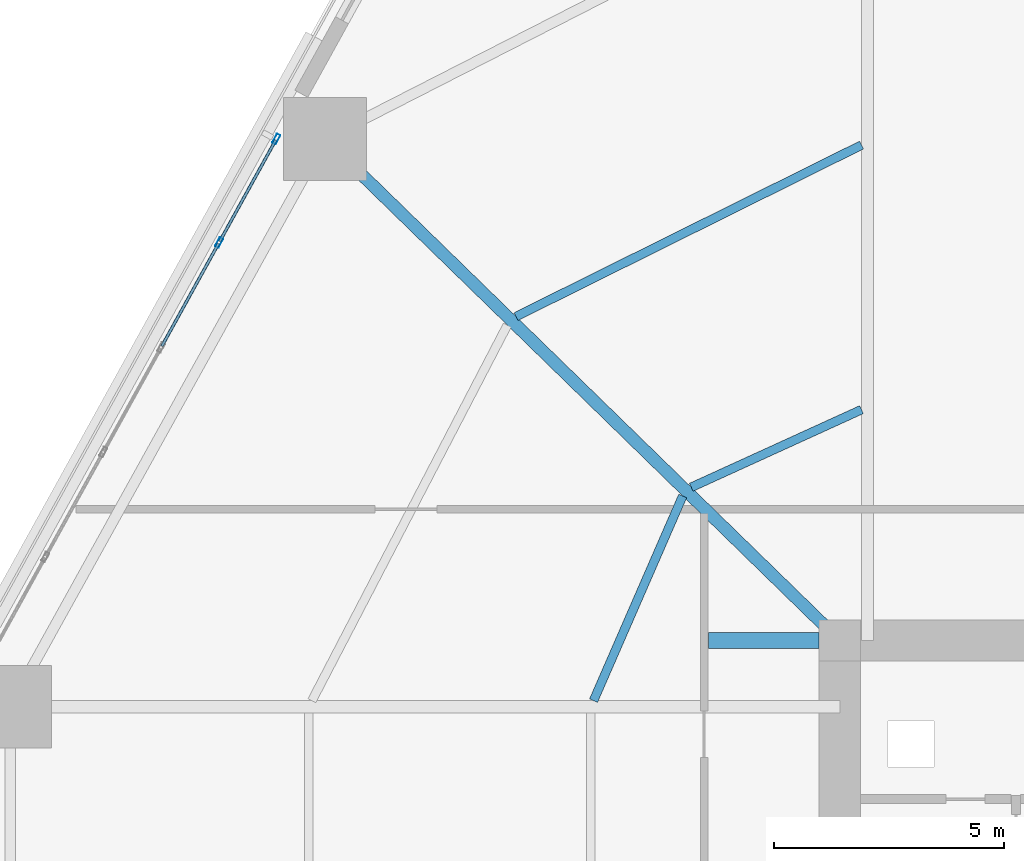
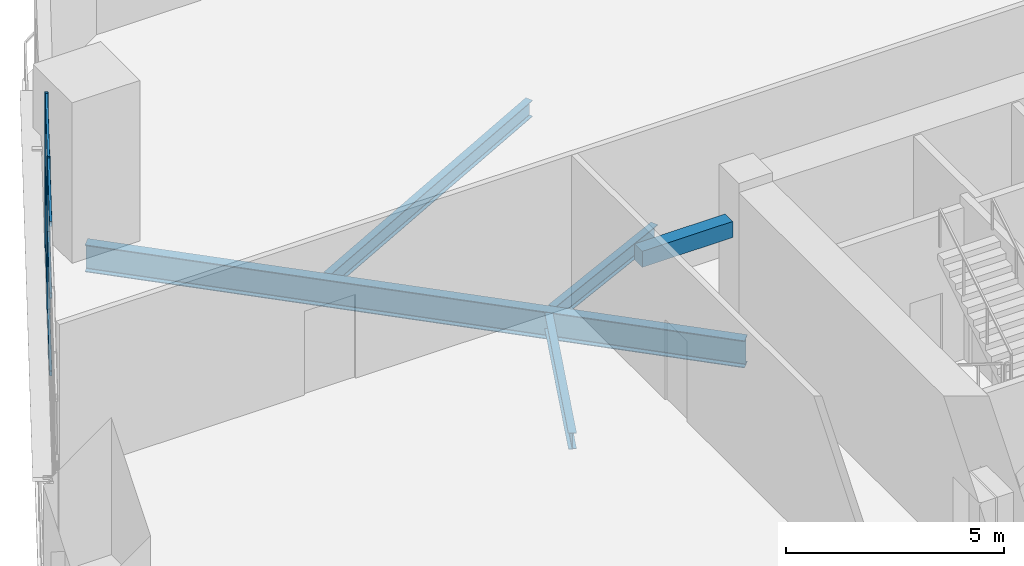
# One storey, part 7 of 21: 8 members, 5 beams, 1 element without a shape of its own.
"""IFC4 building model written with IfcOpenShell, lengths in metres."""

from ifc_helpers import new_model, si_unit, direction, frame, origin, origin_2d, place, context, subcontext, project, spatial, rectangle, hollow_rectangle, i_section, extrude, material, layer, layer_set, material_profile, profile_set, type_object, element, aggregate, save


model = new_model("IFC4")

# Units and contexts
model_context = context("Model", 3, precision=1e-05, world=origin(), true_north=direction((0.0, 1.0)))
body_context = subcontext(model_context, "Body", "Model", "MODEL_VIEW")
ifc_project = project(units=[si_unit("LENGTHUNIT", "METRE"), si_unit("AREAUNIT", "SQUARE_METRE"), si_unit("VOLUMEUNIT", "CUBIC_METRE"), si_unit("PLANEANGLEUNIT", "RADIAN"), si_unit("MASSUNIT", "GRAM", prefix="KILO")], contexts=[model_context])

# Site, building, storey
site_placement = place(None, origin())
site = spatial("IfcSite", under=ifc_project, at=site_placement, CompositionType="ELEMENT")
building_placement = place(site_placement, origin())
building = spatial("IfcBuilding", under=site, at=building_placement, Name="Cinnabar Lancet Tower", CompositionType="ELEMENT")
storey_placement = place(building_placement, frame((0.0, 0.0, 6.0)))
storey = spatial("IfcBuildingStorey", under=building, at=storey_placement, Name="L01", CompositionType="ELEMENT", Elevation=6.0)

# Curtain wall, members
ifc_material_1 = material(Name="Thermally broken bronze-anodized aluminium and low-E glass", Category="aluminium")
ifc_layer = layer(ifc_material_1, 0.179931640625)
ifc_layer_set = layer_set([ifc_layer], Name="Thermally broken bronze-anodized aluminium and low-E glass")
curtain_wall_type = type_object("IfcCurtainWallType", Name="ENV-CW-SYS-02", PredefinedType="NOTDEFINED", material=ifc_layer_set)
curtain_wall_placement = place(storey_placement, origin())
curtain_wall = element("IfcCurtainWall", 1, at=curtain_wall_placement, inside=storey, type_object=curtain_wall_type, Name="L01 Face 5 Feature Curtain Wall", PredefinedType="NOTDEFINED")
ifc_material_2 = material(Name="Anodized architectural aluminium 6063-T6", Category="aluminium")
ifc_material_profile_1 = material_profile(ifc_material_2, hollow_rectangle(XDim=0.0849609375, YDim=0.219970703125, WallThickness=0.0048828125, InnerFilletRadius=0.00244140625, OuterFilletRadius=0.007568359375, at=origin_2d()), Name="CW-MUL 220x85x5")
ifc_profile_set_1 = profile_set([ifc_material_profile_1], Name="Anodized architectural aluminium 6063-T6")
member_type_1 = type_object("IfcMemberType", Name="ENV-CW-MUL-220", PredefinedType="MULLION", material=ifc_profile_set_1)
member_1_placement = place(storey_placement, frame((10.699462890625, 44.253662109375, 0.0), z_axis=(0.0, 0.0, 1.0), x_axis=(0.875242391442, -0.48368456273, 0.0)))
member_1 = element("IfcMember", 2, at=member_1_placement, type_object=member_type_1, Name="CW-02 mullion 1", PredefinedType="MULLION", context=body_context, shape_type="SweptSolid", body=[
    extrude(hollow_rectangle(XDim=0.0849609375, YDim=0.219970703125, WallThickness=0.0048828125, InnerFilletRadius=0.00244140625, OuterFilletRadius=0.007568359375, at=origin_2d()), origin(), (0.0, 0.0, 1.0), 4.25),
])
member_2_placement = place(storey_placement, frame((9.455078125, 42.001708984375, 0.0), z_axis=(0.0, 0.0, 1.0), x_axis=(0.875242391442, -0.48368456273, 0.0)))
member_2 = element("IfcMember", 3, at=member_2_placement, type_object=member_type_1, Name="CW-02 mullion 2", PredefinedType="MULLION", context=body_context, shape_type="SweptSolid", body=[
    extrude(hollow_rectangle(XDim=0.0849609375, YDim=0.219970703125, WallThickness=0.0048828125, InnerFilletRadius=0.00244140625, OuterFilletRadius=0.007568359375, at=origin_2d()), origin(), (0.0, 0.0, 1.0), 4.25),
])
ifc_material_3 = material(Name="Anodized architectural aluminium 6063-T6", Category="aluminium")
ifc_material_profile_2 = material_profile(ifc_material_3, hollow_rectangle(XDim=0.06494140625, YDim=0.14990234375, WallThickness=0.00390625, InnerFilletRadius=0.001953125, OuterFilletRadius=0.006103515625, at=origin_2d()), Name="CW-TRN 150x65x4")
ifc_profile_set_2 = profile_set([ifc_material_profile_2], Name="Anodized architectural aluminium 6063-T6")
member_type_2 = type_object("IfcMemberType", Name="ENV-CW-TRN-160", PredefinedType="USERDEFINED", material=ifc_profile_set_2)
member_3_placement = place(storey_placement, frame((10.68505859375, 44.2275390625, 0.030029296875), z_axis=(-0.483711571576, -0.875227465019, 0.0), x_axis=(0.875227465019, -0.483711571576, 0.0)))
member_3 = element("IfcMember", 4, at=member_3_placement, type_object=member_type_2, Name="CW-02 transom 1.1", ObjectType="TRANSOM", PredefinedType="USERDEFINED", context=body_context, shape_type="SweptSolid", body=[
    extrude(hollow_rectangle(XDim=0.06494140625, YDim=0.14990234375, WallThickness=0.00390625, InnerFilletRadius=0.001953125, OuterFilletRadius=0.006103515625, at=origin_2d()), origin(), (0.0, 0.0, 1.0), 2.512939453125),
])
member_4_placement = place(storey_placement, frame((10.68505859375, 44.2275390625, 2.2099609375), z_axis=(-0.483711571576, -0.875227465019, 0.0), x_axis=(0.875227465019, -0.483711571576, 0.0)))
member_4 = element("IfcMember", 5, at=member_4_placement, type_object=member_type_2, Name="CW-02 transom 1.2", ObjectType="TRANSOM", PredefinedType="USERDEFINED", context=body_context, shape_type="SweptSolid", body=[
    extrude(hollow_rectangle(XDim=0.06494140625, YDim=0.14990234375, WallThickness=0.00390625, InnerFilletRadius=0.001953125, OuterFilletRadius=0.006103515625, at=origin_2d()), origin(), (0.0, 0.0, 1.0), 2.512939453125),
])
member_5_placement = place(storey_placement, frame((10.68505859375, 44.2275390625, 4.219970703125), z_axis=(-0.483711571576, -0.875227465019, 0.0), x_axis=(0.875227465019, -0.483711571576, 0.0)))
member_5 = element("IfcMember", 6, at=member_5_placement, type_object=member_type_2, Name="CW-02 transom 1.3", ObjectType="TRANSOM", PredefinedType="USERDEFINED", context=body_context, shape_type="SweptSolid", body=[
    extrude(hollow_rectangle(XDim=0.06494140625, YDim=0.14990234375, WallThickness=0.00390625, InnerFilletRadius=0.001953125, OuterFilletRadius=0.006103515625, at=origin_2d()), origin(), (0.0, 0.0, 1.0), 2.512939453125),
])
member_6_placement = place(storey_placement, frame((9.4404296875, 41.9755859375, 0.030029296875), z_axis=(-0.483660952196, -0.875255438898, 0.0), x_axis=(0.875255438898, -0.483660952196, 0.0)))
member_6 = element("IfcMember", 7, at=member_6_placement, type_object=member_type_2, Name="CW-02 transom 2.1", ObjectType="TRANSOM", PredefinedType="USERDEFINED", context=body_context, shape_type="SweptSolid", body=[
    extrude(hollow_rectangle(XDim=0.06494140625, YDim=0.14990234375, WallThickness=0.00390625, InnerFilletRadius=0.001953125, OuterFilletRadius=0.006103515625, at=origin_2d()), origin(), (0.0, 0.0, 1.0), 2.54296875),
])
member_7_placement = place(storey_placement, frame((9.4404296875, 41.9755859375, 2.2099609375), z_axis=(-0.483660952196, -0.875255438898, 0.0), x_axis=(0.875255438898, -0.483660952196, 0.0)))
member_7 = element("IfcMember", 8, at=member_7_placement, type_object=member_type_2, Name="CW-02 transom 2.2", ObjectType="TRANSOM", PredefinedType="USERDEFINED", context=body_context, shape_type="SweptSolid", body=[
    extrude(hollow_rectangle(XDim=0.06494140625, YDim=0.14990234375, WallThickness=0.00390625, InnerFilletRadius=0.001953125, OuterFilletRadius=0.006103515625, at=origin_2d()), origin(), (0.0, 0.0, 1.0), 2.54296875),
])
member_8_placement = place(storey_placement, frame((9.4404296875, 41.9755859375, 4.219970703125), z_axis=(-0.483660952196, -0.875255438898, 0.0), x_axis=(0.875255438898, -0.483660952196, 0.0)))
member_8 = element("IfcMember", 9, at=member_8_placement, type_object=member_type_2, Name="CW-02 transom 2.3", ObjectType="TRANSOM", PredefinedType="USERDEFINED", context=body_context, shape_type="SweptSolid", body=[
    extrude(hollow_rectangle(XDim=0.06494140625, YDim=0.14990234375, WallThickness=0.00390625, InnerFilletRadius=0.001953125, OuterFilletRadius=0.006103515625, at=origin_2d()), origin(), (0.0, 0.0, 1.0), 2.54296875),
])
aggregate(curtain_wall, [member_1, member_2, member_3, member_4, member_5, member_6, member_7, member_8])

# Beams
ifc_material_4 = material(Name="Structural steel S355", Category="steel")
ifc_material_profile_3 = material_profile(ifc_material_4, i_section(OverallWidth=0.1904296875, OverallDepth=0.45703125, WebThickness=0.009033203125, FlangeThickness=0.014404296875, FilletRadius=0.01025390625, at=origin_2d()), Name="UKB 457x191x74")
ifc_profile_set_3 = profile_set([ifc_material_profile_3], Name="Structural steel S355")
beam_type_1 = type_object("IfcBeamType", Name="STR-BM-JST-457", PredefinedType="JOIST", material=ifc_profile_set_3)
beam_1_placement = place(storey_placement, frame((23.422119140625, 44.12109375, -0.47900390625), z_axis=(-0.895687488764, -0.444684070404, 0.0), x_axis=(0.444684070404, -0.895687488764, 0.0)))
element("IfcBeam", 10, at=beam_1_placement, inside=storey, type_object=beam_type_1, Name="L01 Secondary Floor Joist 7", PredefinedType="JOIST", context=body_context, shape_type="SweptSolid", body=[
    extrude(i_section(OverallWidth=0.1904296875, OverallDepth=0.45703125, WebThickness=0.009033203125, FlangeThickness=0.014404296875, FilletRadius=0.01025390625, at=origin_2d()), origin(), (0.0, 0.0, 1.0), 8.383544921875),
])
beam_2_placement = place(storey_placement, frame((23.422119140625, 38.368896484375, -0.47900390625), z_axis=(-0.909802346443, -0.415041793567, 0.0), x_axis=(0.415041793567, -0.909802346443, 0.0)))
element("IfcBeam", 11, at=beam_2_placement, inside=storey, type_object=beam_type_1, Name="L01 Secondary Floor Joist 8", PredefinedType="JOIST", context=body_context, shape_type="SweptSolid", body=[
    extrude(i_section(OverallWidth=0.1904296875, OverallDepth=0.45703125, WebThickness=0.009033203125, FlangeThickness=0.014404296875, FilletRadius=0.01025390625, at=origin_2d()), origin(), (0.0, 0.0, 1.0), 4.067138671875),
])
beam_3_placement = place(storey_placement, frame((19.534912109375, 36.490966796875, -0.47900390625), z_axis=(-0.39945428445, -0.916753115421, 0.0), x_axis=(0.916753115421, -0.39945428445, 0.0)))
element("IfcBeam", 12, at=beam_3_placement, inside=storey, type_object=beam_type_1, Name="L01 Secondary Floor Joist 10", PredefinedType="JOIST", context=body_context, shape_type="SweptSolid", body=[
    extrude(i_section(OverallWidth=0.1904296875, OverallDepth=0.45703125, WebThickness=0.009033203125, FlangeThickness=0.014404296875, FilletRadius=0.01025390625, at=origin_2d()), origin(), (0.0, 0.0, 1.0), 4.85400390625),
])
ifc_material_5 = material(Name="Concrete C45/55", Category="concrete")
ifc_material_profile_4 = material_profile(ifc_material_5, rectangle(XDim=0.35009765625, YDim=0.449951171875, at=origin_2d()), Name="RC-LNT 350x450")
ifc_profile_set_4 = profile_set([ifc_material_profile_4], Name="Concrete C45/55")
beam_type_2 = type_object("IfcBeamType", Name="STR-BM-LNT-450", PredefinedType="LINTEL", material=ifc_profile_set_4)
beam_4_placement = place(storey_placement, frame((20.10009765625, 33.35009765625, 3.050048828125), z_axis=(1.0, 0.0, 0.0), x_axis=(0.0, 1.0, 0.0)))
element("IfcBeam", 13, at=beam_4_placement, inside=storey, type_object=beam_type_2, Name="L01 Podium Gallery Arch Lintel NW", PredefinedType="LINTEL", context=body_context, shape_type="SweptSolid", body=[
    extrude(rectangle(XDim=0.35009765625, YDim=0.449951171875, at=origin_2d()), origin(), (0.0, 0.0, 1.0), 2.39990234375),
])
ifc_material_6 = material(Name="Structural steel S355", Category="steel")
ifc_material_profile_5 = material_profile(ifc_material_6, i_section(OverallWidth=0.2666015625, OverallDepth=0.76220703125, WebThickness=0.014404296875, FlangeThickness=0.021484375, FilletRadius=0.0166015625, at=origin_2d()), Name="UKB 762x267x173")
ifc_profile_set_5 = profile_set([ifc_material_profile_5], Name="Structural steel S355")
beam_type_3 = type_object("IfcBeamType", Name="STR-BM-UKB762-173", PredefinedType="BEAM", material=ifc_profile_set_5)
beam_5_placement = place(storey_placement, frame((11.757080078125, 44.256103515625, -0.631103515625), z_axis=(0.716225383515, -0.697869042163, 0.0), x_axis=(0.697869042163, 0.716225383515, 0.0)))
element("IfcBeam", 14, at=beam_5_placement, inside=storey, type_object=beam_type_3, Name="L01 Corner Collector Girder 4", PredefinedType="BEAM", context=body_context, shape_type="SweptSolid", body=[
    extrude(i_section(OverallWidth=0.2666015625, OverallDepth=0.76220703125, WebThickness=0.014404296875, FlangeThickness=0.021484375, FilletRadius=0.0166015625, at=origin_2d()), origin(), (0.0, 0.0, 1.0), 15.627685546875),
])

save(model, "model.ifc")
